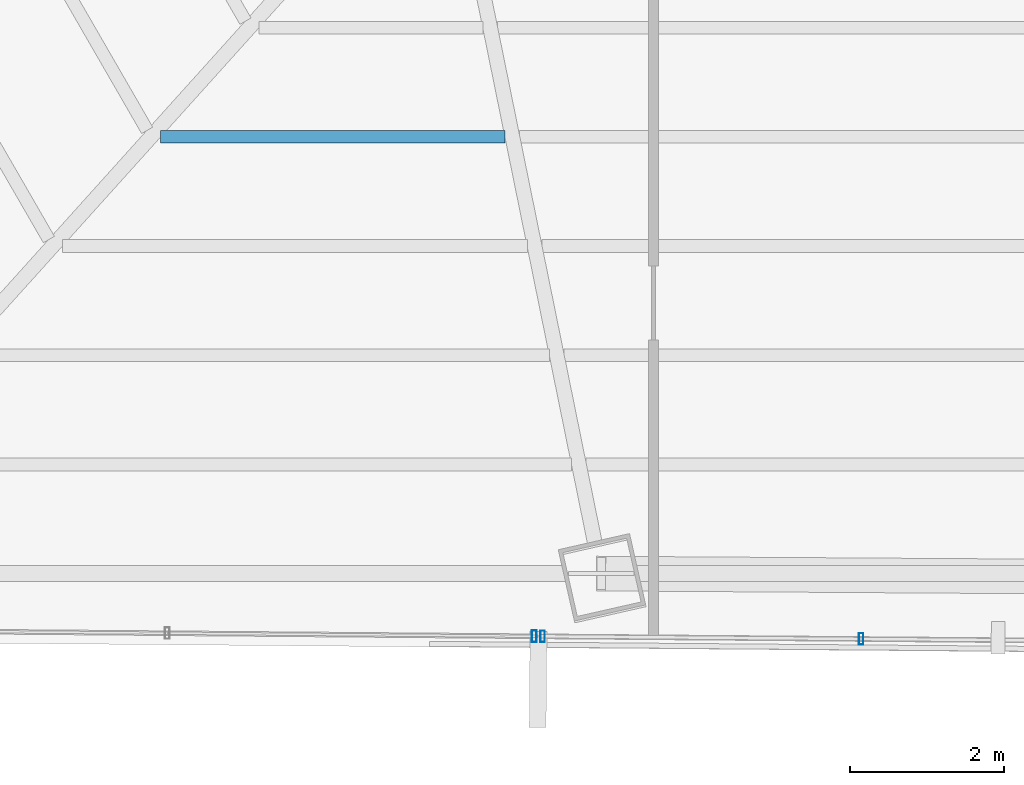
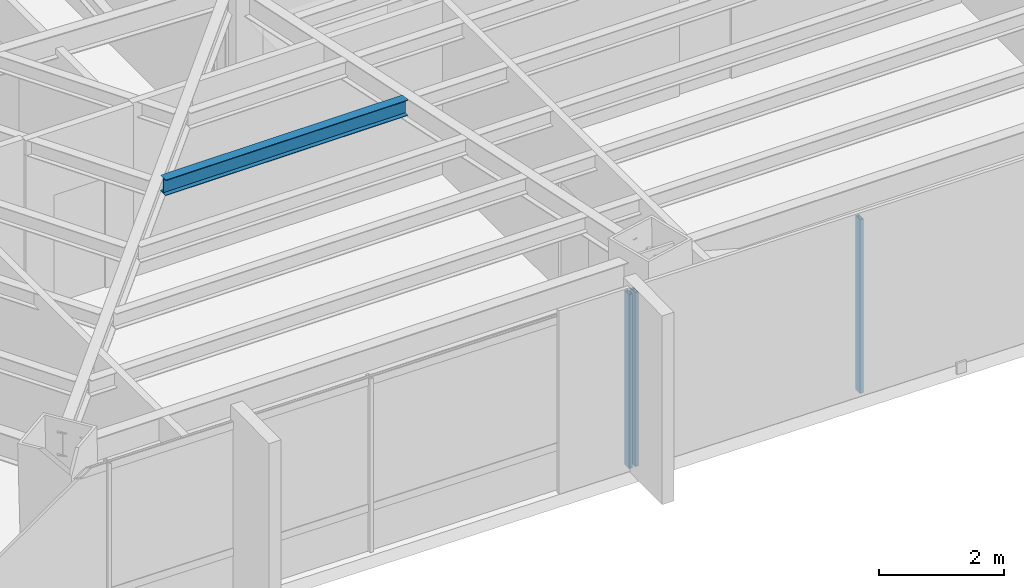
# One storey, part 8 of 38: 3 members, 1 beam, 2 elements without a shape of their own.
"""IFC4 building model written with IfcOpenShell, lengths in metres."""

import ifcopenshell
import ifcopenshell.guid

model = None  # the IFC model being written
_history = None  # IfcOwnerHistory: only IFC2X3 demands one
_inside = {}  # id of a spatial element -> (the spatial element, [elements in it])
_under = {}  # id of a project, library or spatial element -> (it, [spatial elements below it])
_declared = {}  # id of a project -> (the project, [libraries it declares])
_typed = {}  # id of a type object -> (the type object, [elements of that type])
_made_of = {}  # id of a material, layer set ... -> (it, [elements and type objects made of it])


def new_model(schema):
    """Start an empty IFC model of exactly this schema.

    Asked for "IFC4X3", IfcOpenShell would pick the latest addendum, in which some entities
    have other attributes; the version numbers below select the first issue.
    IFC2X3 requires an IfcOwnerHistory on every rooted entity: one is made here for all.
    """
    global model, _history
    if schema == "IFC4X3":
        model = ifcopenshell.file(schema_version=(4, 3, 0, 0))
    else:
        model = ifcopenshell.file(schema=schema)
    _inside.clear()
    _under.clear()
    _declared.clear()
    _typed.clear()
    _made_of.clear()
    _history = None
    if model.schema == "IFC2X3":
        org = make("IfcOrganization", Name="unknown")
        user = make(
            "IfcPersonAndOrganization",
            ThePerson=make("IfcPerson", FamilyName="unknown"),
            TheOrganization=org,
        )
        app = make(
            "IfcApplication",
            ApplicationDeveloper=org,
            Version="unknown",
            ApplicationFullName="unknown",
            ApplicationIdentifier="unknown",
        )
        _history = make(
            "IfcOwnerHistory",
            OwningUser=user,
            OwningApplication=app,
            ChangeAction="ADDED",
            CreationDate=0,
        )
    return model


def make(cls, **values):
    """One entity of the class cls with the attributes given. An attribute that is None is left unset."""
    return model.create_entity(
        cls, **{name: value for name, value in values.items() if value is not None}
    )


def rooted(cls, **values):
    """An entity with a GlobalId (a new one), such as an element, a storey or a relation."""
    return make(cls, GlobalId=ifcopenshell.guid.new(), OwnerHistory=_history, **values)


def si_unit(unit_type, name, prefix=None):
    """IfcSIUnit, for example si_unit("LENGTHUNIT", "METRE", prefix="MILLI")."""
    return make("IfcSIUnit", UnitType=unit_type, Prefix=prefix, Name=name)


def assignment(units):
    """IfcUnitAssignment: the units of a project."""
    return None if units is None else make("IfcUnitAssignment", Units=units)


def point(xyz):
    """IfcCartesianPoint."""
    return None if xyz is None else make("IfcCartesianPoint", Coordinates=xyz)


def direction(xyz):
    """IfcDirection."""
    return None if xyz is None else make("IfcDirection", DirectionRatios=xyz)


def frame(location, z_axis=None, x_axis=None):
    """IfcAxis2Placement3D, a coordinate frame: its origin and axes. An axis left out is left unset."""
    return make(
        "IfcAxis2Placement3D",
        Location=point(location),
        Axis=direction(z_axis),
        RefDirection=direction(x_axis),
    )


def frame_2d(location, x_axis=None):
    """IfcAxis2Placement2D, a coordinate frame in the plane: its origin and x axis."""
    return make(
        "IfcAxis2Placement2D", Location=point(location), RefDirection=direction(x_axis)
    )


def origin():
    """The frame at (0, 0, 0) with its axes left unset."""
    return frame((0.0, 0.0, 0.0))


def origin_2d():
    """The frame at (0, 0) in the plane with its x axis left unset."""
    return frame_2d((0.0, 0.0))


def place(relative_to, where):
    """IfcLocalPlacement: puts the frame where relative to a parent placement (None: the world)."""
    return make(
        "IfcLocalPlacement", PlacementRelTo=relative_to, RelativePlacement=where
    )


def context(
    kind, dimensions, precision=None, world=None, true_north=None, identifier=None
):
    """IfcGeometricRepresentationContext, for example the 3D "Model" context."""
    return make(
        "IfcGeometricRepresentationContext",
        ContextIdentifier=identifier,
        ContextType=kind,
        CoordinateSpaceDimension=dimensions,
        Precision=precision,
        WorldCoordinateSystem=world,
        TrueNorth=true_north,
    )


def subcontext(parent, identifier, kind, view, scale=None):
    """IfcGeometricRepresentationSubContext, for example "Body" below "Model"."""
    return make(
        "IfcGeometricRepresentationSubContext",
        ContextIdentifier=identifier,
        ContextType=kind,
        ParentContext=parent,
        TargetScale=scale,
        TargetView=view,
    )


def project(units=None, contexts=None):
    """IfcProject with its units and contexts."""
    return rooted(
        "IfcProject",
        Name="project",
        RepresentationContexts=contexts,
        UnitsInContext=assignment(units),
    )


def spatial(cls, under=None, at=None, **own):
    """A site, building, storey or space (cls), placed at a placement, below another one or the project."""
    s = rooted(cls, ObjectPlacement=at, **own)
    if under is not None:
        _under.setdefault(under.id(), (under, []))[1].append(s)
    return s


def profile(cls, at=None, kind="AREA", **sizes):
    """A parametric profile (cls). Its sizes go by their IFC names, for example OverallWidth=200.0."""
    return make(cls, ProfileType=kind, Position=at, **sizes)


def hollow_rectangle(**sizes):
    """IfcRectangleHollowProfileDef."""
    return profile("IfcRectangleHollowProfileDef", **sizes)


def i_section(**sizes):
    """IfcIShapeProfileDef."""
    return profile("IfcIShapeProfileDef", **sizes)


def extrude(swept, where, along, depth):
    """IfcExtrudedAreaSolid: the profile swept, set in the frame where, extruded along a direction by depth."""
    return make(
        "IfcExtrudedAreaSolid",
        SweptArea=swept,
        Position=where,
        ExtrudedDirection=direction(along),
        Depth=depth,
    )


def shape(context_of_items, identifier, shape_type, items):
    """IfcShapeRepresentation: the items that make up one representation, for example the "Body"."""
    return make(
        "IfcShapeRepresentation",
        ContextOfItems=context_of_items,
        RepresentationIdentifier=identifier,
        RepresentationType=shape_type,
        Items=items,
    )


def source(mapping_origin, context_of_items, identifier, shape_type, items):
    """IfcRepresentationMap: a shape defined once, which mapped items show again and again."""
    return make(
        "IfcRepresentationMap",
        MappingOrigin=mapping_origin,
        MappedRepresentation=shape(context_of_items, identifier, shape_type, items),
    )


def transform(
    local_origin,
    x_axis=None,
    y_axis=None,
    z_axis=None,
    scale=None,
    scale2=None,
    scale3=None,
    uniform=True,
):
    """IfcCartesianTransformationOperator3D, or its non-uniform kind. x_axis, y_axis, z_axis: its Axis1, 2, 3."""
    if uniform:
        return make(
            "IfcCartesianTransformationOperator3D",
            Axis1=direction(x_axis),
            Axis2=direction(y_axis),
            LocalOrigin=point(local_origin),
            Scale=scale,
            Axis3=direction(z_axis),
        )
    return make(
        "IfcCartesianTransformationOperator3DnonUniform",
        Axis1=direction(x_axis),
        Axis2=direction(y_axis),
        LocalOrigin=point(local_origin),
        Scale=scale,
        Axis3=direction(z_axis),
        Scale2=scale2,
        Scale3=scale3,
    )


def mapped(mapping_source, mapping_target):
    """IfcMappedItem: shows the shape of a source again, moved by a transform."""
    return make(
        "IfcMappedItem", MappingSource=mapping_source, MappingTarget=mapping_target
    )


def material(Name=None, Category=None):
    """IfcMaterial."""
    return make("IfcMaterial", Name=Name, Category=Category)


def material_profile(
    of_material, cross_section, Name=None, Category=None, Priority=None
):
    """IfcMaterialProfile: a cross section and its material."""
    return make(
        "IfcMaterialProfile",
        Name=Name,
        Material=of_material,
        Profile=cross_section,
        Priority=Priority,
        Category=Category,
    )


def profile_set(profiles, Name=None, composite=None):
    """IfcMaterialProfileSet."""
    return make(
        "IfcMaterialProfileSet",
        Name=Name,
        MaterialProfiles=profiles,
        CompositeProfile=composite,
    )


def made_of(thing, what):
    """Note that an element or type object is made of a material, layer set ...; save() writes the relation."""
    if what is not None:
        _made_of.setdefault(what.id(), (what, []))[1].append(thing)
    return thing


def type_object(cls, material=None, **own):
    """A type object (cls), such as IfcWallType, which elements share."""
    return made_of(rooted(cls, **own), material)


def type_shapes(of_type, sources):
    """Give a type object the sources (RepresentationMaps) that its elements show as mapped items."""
    of_type.RepresentationMaps = sources


def element(
    cls,
    number,
    at=None,
    inside=None,
    cuts=None,
    type_object=None,
    material=None,
    context=None,
    identifier="Body",
    shape_type=None,
    held_by="IfcProductDefinitionShape",
    body=None,
    shapes=None,
    **own,
):
    """One element of the class cls, such as IfcWall. Its Tag is "e" and its number.

    at: its placement. inside: the storey or other place that contains it. cuts: it is an
    opening in that element (IfcRelVoidsElement). A single representation is given by context,
    identifier, shape_type and body (its items); several are given by shapes. held_by: the class
    of the entity that holds the representations. save() writes the other relations.
    """
    e = rooted(cls, Tag="e%d" % number, ObjectPlacement=at, **own)
    if body is not None:
        shapes = [shape(context, identifier, shape_type, body)]
    if shapes is not None:
        e.Representation = make(held_by, Representations=shapes)
    if inside is not None:
        _inside.setdefault(inside.id(), (inside, []))[1].append(e)
    if cuts is not None:
        rooted(
            "IfcRelVoidsElement", RelatingBuildingElement=cuts, RelatedOpeningElement=e
        )
    if type_object is not None:
        _typed.setdefault(type_object.id(), (type_object, []))[1].append(e)
    return made_of(e, material)


def aggregate(whole, parts):
    """IfcRelAggregates: a whole, such as a stair, and the parts it consists of."""
    return rooted("IfcRelAggregates", RelatingObject=whole, RelatedObjects=parts)


def save(model, path):
    """Write the relations noted so far, then the file.

    IfcRelAggregates (storeys below a building ...), IfcRelContainedInSpatialStructure (elements
    in a storey), IfcRelDefinesByType, IfcRelAssociatesMaterial and IfcRelDeclares: one each for
    every whole, place, type object, material and project.
    """
    for whole, parts in _under.values():
        aggregate(whole, parts)
    for where, things in _inside.values():
        rooted(
            "IfcRelContainedInSpatialStructure",
            RelatedElements=things,
            RelatingStructure=where,
        )
    for kind, things in _typed.values():
        rooted("IfcRelDefinesByType", RelatedObjects=things, RelatingType=kind)
    for what, things in _made_of.values():
        rooted("IfcRelAssociatesMaterial", RelatedObjects=things, RelatingMaterial=what)
    for by, libraries in _declared.values():
        rooted("IfcRelDeclares", RelatingContext=by, RelatedDefinitions=libraries)
    model.write(path)


model = new_model("IFC4")

# Units and contexts
model_context = context("Model", 3, precision=1e-05, world=origin(), true_north=direction((0.0, 1.0)))
body_context = subcontext(model_context, "Body", "Model", "MODEL_VIEW")
ifc_project = project(units=[si_unit("LENGTHUNIT", "METRE"), si_unit("AREAUNIT", "SQUARE_METRE"), si_unit("VOLUMEUNIT", "CUBIC_METRE"), si_unit("PLANEANGLEUNIT", "RADIAN"), si_unit("MASSUNIT", "GRAM", prefix="KILO")], contexts=[model_context])

# Site, building, storey
site_placement = place(None, origin())
site = spatial("IfcSite", under=ifc_project, at=site_placement, CompositionType="ELEMENT")
building_placement = place(site_placement, origin())
building = spatial("IfcBuilding", under=site, at=building_placement, Name="Caelisora Broadcast Tower", CompositionType="ELEMENT")
storey_placement = place(building_placement, frame((0.0, 0.0, 158.5)))
storey = spatial("IfcBuildingStorey", under=building, at=storey_placement, Name="L41", CompositionType="ELEMENT", Elevation=158.5)

# Beam
ifc_material_1 = material(Name="Steel Grade 350 (AS/NZS 3679.1)", Category="steel")
ifc_material_profile_1 = material_profile(ifc_material_1, i_section(OverallWidth=0.166015625, OverallDepth=0.30712890625, WebThickness=0.006591796875, FlangeThickness=0.01171875, at=origin_2d()), Name="Steel Grade 350 (AS/NZS 3679.1)")
ifc_profile_set_1 = profile_set([ifc_material_profile_1], Name="Steel Grade 350 (AS/NZS 3679.1)")
beam_type = type_object("IfcBeamType", Name="SB03", PredefinedType="JOIST", material=ifc_profile_set_1)
shared_shape_1 = source(origin(), body_context, "Body", "SweptSolid", [
    extrude(i_section(OverallWidth=0.166015625, OverallDepth=0.30712890625, WebThickness=0.006591796875, FlangeThickness=0.01171875, at=origin_2d()), origin(), (0.0, 0.0, 1.0), 4.478515625),
])
type_shapes(beam_type, [shared_shape_1])
beam_placement = place(storey_placement, frame((26.7919921875, 13.14208984375, 3.246337890625), z_axis=(1.0, 0.0, 0.0), x_axis=(0.0, 1.0, 0.0)))
element("IfcBeam", 1, at=beam_placement, inside=storey, type_object=beam_type, Name="L41 beam SB03", PredefinedType="JOIST", context=body_context, shape_type="MappedRepresentation", body=[
    mapped(shared_shape_1, transform((0.0, 0.0, 0.0), scale=1.0)),
])

# Curtain wall, members
ifc_material_2 = material(Name="Unitised Aluminium Insulated Shadow-Box Spandrel Curtain Wall", Category="aluminium")
curtain_wall_type_1 = type_object("IfcCurtainWallType", Name="CW-SP2", PredefinedType="NOTDEFINED", material=ifc_material_2)
curtain_wall_1_placement = place(storey_placement, origin())
curtain_wall_1 = element("IfcCurtainWall", 2, at=curtain_wall_1_placement, inside=storey, type_object=curtain_wall_type_1, Name="L41 curtain wall CW-SP2", PredefinedType="NOTDEFINED")
ifc_material_3 = material(Name="Aluminium 6063-T6 Anodised Terracotta Bronze", Category="aluminium")
ifc_material_profile_2 = material_profile(ifc_material_3, hollow_rectangle(XDim=0.06005859375, YDim=0.14990234375, WallThickness=0.00341796875, at=origin_2d()), Name="Aluminium 6063-T6 Anodised Terracotta Bronze")
ifc_profile_set_2 = profile_set([ifc_material_profile_2], Name="Aluminium 6063-T6 Anodised Terracotta Bronze")
member_type = type_object("IfcMemberType", Name="CWM-03", PredefinedType="MULLION", material=ifc_profile_set_2)
shared_shape_2 = source(origin(), body_context, "Body", "SweptSolid", [
    extrude(hollow_rectangle(XDim=0.06005859375, YDim=0.14990234375, WallThickness=0.00341796875, at=origin_2d()), origin(), (0.0, 0.0, 1.0), 3.39990234375),
])
type_shapes(member_type, [shared_shape_2])
member_1_placement = place(storey_placement, frame((35.8984375, 6.61474609375, 0.0), z_axis=(0.0, 0.0, 1.0), x_axis=(1.0, 0.0, 0.0)))
member_1 = element("IfcMember", 3, at=member_1_placement, type_object=member_type, Name="L41-CW-B06 mullion #2", PredefinedType="MULLION", context=body_context, shape_type="MappedRepresentation", body=[
    mapped(shared_shape_2, transform((0.0, 0.0, 0.0), scale=1.0)),
])
member_2_placement = place(storey_placement, frame((31.7587890625, 6.649169921875, 0.0), z_axis=(0.0, 0.0, 1.0), x_axis=(1.0, 0.0, 0.0)))
member_2 = element("IfcMember", 4, at=member_2_placement, type_object=member_type, Name="L41-CW-B06 mullion #3", PredefinedType="MULLION", context=body_context, shape_type="MappedRepresentation", body=[
    mapped(shared_shape_2, transform((0.0, 0.0, 0.0), scale=1.0)),
])
aggregate(curtain_wall_1, [member_1, member_2])

# Curtain wall, member
ifc_material_4 = material(Name="Unitised Aluminium and Low-E Glass Curtain Wall", Category="glass")
curtain_wall_type_2 = type_object("IfcCurtainWallType", Name="CW-Z3", PredefinedType="NOTDEFINED", material=ifc_material_4)
curtain_wall_2_placement = place(storey_placement, origin())
curtain_wall_2 = element("IfcCurtainWall", 5, at=curtain_wall_2_placement, inside=storey, type_object=curtain_wall_type_2, Name="L41 curtain wall CW-Z3", PredefinedType="NOTDEFINED")
member_3_placement = place(storey_placement, frame((31.648681640625, 6.650146484375, 0.0), z_axis=(0.0, 0.0, 1.0), x_axis=(1.0, 0.0, 0.0)))
member_3 = element("IfcMember", 6, at=member_3_placement, type_object=member_type, Name="L41-CW-B07 mullion #0", PredefinedType="MULLION", context=body_context, shape_type="MappedRepresentation", body=[
    mapped(shared_shape_2, transform((0.0, 0.0, 0.0), scale=1.0)),
])
aggregate(curtain_wall_2, [member_3])

save(model, "model.ifc")
